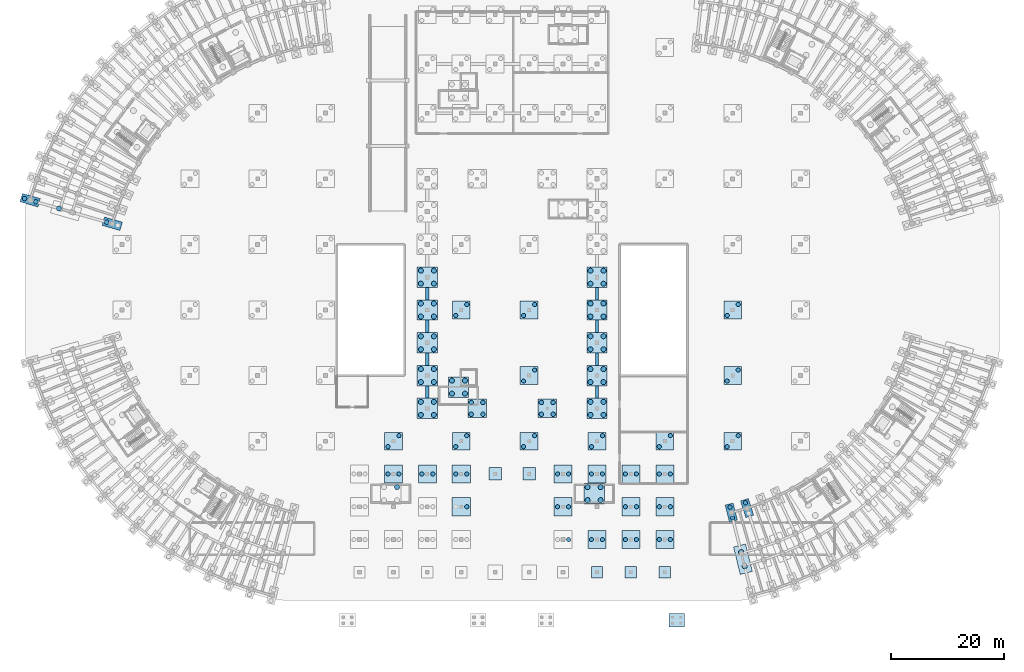
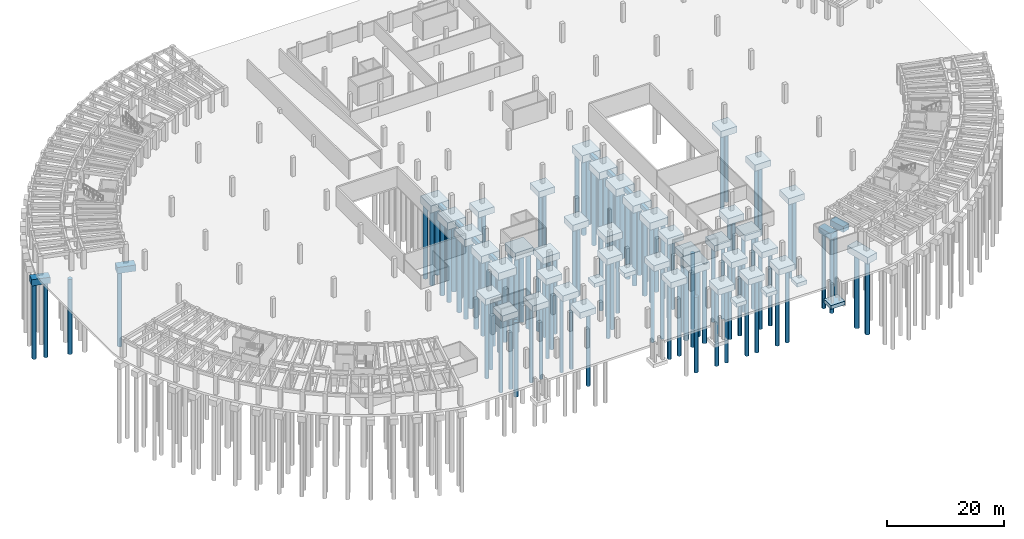
# One storey, part 2 of 29: 116 piles, 58 footings.
"""IFC4 building model written with IfcOpenShell, lengths in metres."""

from ifc_helpers import new_model, si_unit, direction, frame, origin, origin_2d, place, context, subcontext, project, spatial, rectangle, circle, extrude, material, material_profile, profile_set, type_object, element, save


model = new_model("IFC4")

# Units and contexts
model_context = context("Model", 3, precision=1e-05, world=origin(), true_north=direction((0.0, 1.0)))
body_context = subcontext(model_context, "Body", "Model", "MODEL_VIEW")
ifc_project = project(units=[si_unit("LENGTHUNIT", "METRE"), si_unit("AREAUNIT", "SQUARE_METRE"), si_unit("VOLUMEUNIT", "CUBIC_METRE"), si_unit("PLANEANGLEUNIT", "RADIAN"), si_unit("MASSUNIT", "GRAM", prefix="KILO")], contexts=[model_context])

# Site, building, storey
site_placement = place(None, origin())
site = spatial("IfcSite", under=ifc_project, at=site_placement, CompositionType="ELEMENT")
building_placement = place(site_placement, origin())
building = spatial("IfcBuilding", under=site, at=building_placement, Name="Tanwirah Colonnade Gardens", CompositionType="ELEMENT")
storey_placement = place(building_placement, frame((0.0, 0.0, -4.199951171875)))
storey = spatial("IfcBuildingStorey", under=building, at=storey_placement, Name="B1", CompositionType="ELEMENT", Elevation=-4.199951171875)

# Footings
ifc_material = material(Name="Concrete C45/55", Category="concrete")
ifc_material_profile_1 = material_profile(ifc_material, rectangle(XDim=0.60009765625, YDim=0.800048828125, at=origin_2d()), Name="GB-600x800")
ifc_profile_set_1 = profile_set([ifc_material_profile_1], Name="Concrete C45/55")
footing_type_1 = type_object("IfcFootingType", Name="GB-600x800", PredefinedType="FOOTING_BEAM", material=ifc_profile_set_1)
footing_1_placement = place(storey_placement, frame((78.0, 41.60009765625, -0.85009765625), z_axis=(0.0, 1.0, 0.0), x_axis=(-1.0, 0.0, 0.0)))
element("IfcFooting", 1, at=footing_1_placement, inside=storey, type_object=footing_type_1, Name="Ground tie beam GB-001", PredefinedType="FOOTING_BEAM", context=body_context, shape_type="SweptSolid", body=[
    extrude(rectangle(XDim=0.60009765625, YDim=0.800048828125, at=origin_2d()), origin(), (0.0, 0.0, 1.0), 2.199951171875),
])
footing_2_placement = place(storey_placement, frame((78.0, 47.39990234375, -0.85009765625), z_axis=(0.0, 1.0, 0.0), x_axis=(-1.0, 0.0, 0.0)))
element("IfcFooting", 2, at=footing_2_placement, inside=storey, type_object=footing_type_1, Name="Ground tie beam GB-002", PredefinedType="FOOTING_BEAM", context=body_context, shape_type="SweptSolid", body=[
    extrude(rectangle(XDim=0.60009765625, YDim=0.800048828125, at=origin_2d()), origin(), (0.0, 0.0, 1.0), 2.2001953125),
])
for number, where, z_axis, x_axis, name in (
    (3, (78.0, 53.199951171875, -0.85009765625), (0.0, 1.0, 0.0), (-1.0, 0.0, 0.0), "Ground tie beam GB-003"),
    (4, (78.0, 59.0, -0.85009765625), (0.0, 1.0, 0.0), (-1.0, 0.0, 0.0), "Ground tie beam GB-004"),
    (5, (108.0, 41.60009765625, -0.85009765625), (0.0, 1.0, 0.0), (-1.0, 0.0, 0.0), "Ground tie beam GB-008"),
):
    element("IfcFooting", number, at=place(storey_placement, frame(where, z_axis=z_axis, x_axis=x_axis)), inside=storey, type_object=footing_type_1, Name=name, PredefinedType="FOOTING_BEAM", context=body_context, shape_type="SweptSolid", body=[
        extrude(rectangle(XDim=0.60009765625, YDim=0.800048828125, at=origin_2d()), origin(), (0.0, 0.0, 1.0), 2.199951171875),
    ])
footing_3_placement = place(storey_placement, frame((108.0, 47.39990234375, -0.85009765625), z_axis=(0.0, 1.0, 0.0), x_axis=(-1.0, 0.0, 0.0)))
element("IfcFooting", 6, at=footing_3_placement, inside=storey, type_object=footing_type_1, Name="Ground tie beam GB-009", PredefinedType="FOOTING_BEAM", context=body_context, shape_type="SweptSolid", body=[
    extrude(rectangle(XDim=0.60009765625, YDim=0.800048828125, at=origin_2d()), origin(), (0.0, 0.0, 1.0), 2.2001953125),
])
for number, where, z_axis, x_axis, name in (
    (7, (108.0, 53.199951171875, -0.85009765625), (0.0, 1.0, 0.0), (-1.0, 0.0, 0.0), "Ground tie beam GB-010"),
    (8, (108.0, 59.0, -0.85009765625), (0.0, 1.0, 0.0), (-1.0, 0.0, 0.0), "Ground tie beam GB-011"),
):
    element("IfcFooting", number, at=place(storey_placement, frame(where, z_axis=z_axis, x_axis=x_axis)), inside=storey, type_object=footing_type_1, Name=name, PredefinedType="FOOTING_BEAM", context=body_context, shape_type="SweptSolid", body=[
        extrude(rectangle(XDim=0.60009765625, YDim=0.800048828125, at=origin_2d()), origin(), (0.0, 0.0, 1.0), 2.199951171875),
    ])
footing_type_2 = type_object("IfcFootingType", Name="PC-2P75A", PredefinedType="PILE_CAP", material=ifc_material)
for number, where, z_axis, x_axis, name in (
    (9, (131.75341796875, 21.370361328125, -1.64990234375), (0.0, 0.0, 1.0), (0.2419218956, -0.970295726276, 0.0), "Footing CAP-D-IN-00"),
    (10, (134.55126953125, 22.166015625, -1.64990234375), (0.0, 0.0, 1.0), (0.304864299028, -0.952395799643, 0.0), "Footing CAP-D-IN-01"),
):
    element("IfcFooting", number, at=place(storey_placement, frame(where, z_axis=z_axis, x_axis=x_axis)), inside=storey, type_object=footing_type_2, Name=name, PredefinedType="PILE_CAP", context=body_context, shape_type="SweptSolid", body=[
        extrude(rectangle(XDim=3.10009765625, YDim=1.449951171875, at=origin_2d()), origin(), (0.0, 0.0, 1.0), 1.199951171875),
    ])
footing_type_3 = type_object("IfcFootingType", Name="PC-2P80", PredefinedType="PILE_CAP", material=ifc_material)
for number, where, z_axis, x_axis, name in (
    (11, (22.27197265625, 72.4521484375, -1.75), (0.0, 0.0, 1.0), (-0.961261715181, 0.275637288708, 0.0), "Footing CAP-A-IN-18"),
    (12, (7.7568359375, 76.6142578125, -1.75), (0.0, 0.0, 1.0), (-0.961261715181, 0.275637288708, 0.0), "Footing CAP-A-OUT-18"),
):
    element("IfcFooting", number, at=place(storey_placement, frame(where, z_axis=z_axis, x_axis=x_axis)), inside=storey, type_object=footing_type_3, Name=name, PredefinedType="PILE_CAP", context=body_context, shape_type="SweptSolid", body=[
        extrude(rectangle(XDim=3.300048828125, YDim=1.550048828125, at=origin_2d()), origin(), (0.0, 0.0, 1.0), 1.300048828125),
    ])
footing_type_4 = type_object("IfcFootingType", Name="PC-2P90A", PredefinedType="PILE_CAP", material=ifc_material)
footing_4_placement = place(storey_placement, frame((133.809814453125, 13.122802734375, -1.85009765625), z_axis=(0.0, 0.0, 1.0), x_axis=(0.2419218956, -0.970295726276, 0.0)))
element("IfcFooting", 13, at=footing_4_placement, inside=storey, type_object=footing_type_4, Name="Footing CAP-D-MD-00", PredefinedType="PILE_CAP", context=body_context, shape_type="SweptSolid", body=[
    extrude(rectangle(XDim=5.0, YDim=2.199951171875, at=origin_2d()), origin(), (0.0, 0.0, 1.0), 1.39990234375),
])
footing_type_5 = type_object("IfcFootingType", Name="PC-4P75", PredefinedType="PILE_CAP", material=ifc_material)
for number, where, z_axis, x_axis, name in (
    (14, (72.0, 34.0, -1.75), (0.0, 0.0, 1.0), (1.0, 0.0, 0.0), "Footing CAP-B1G-72-5"),
    (15, (84.0, 34.0, -1.75), (0.0, 0.0, 1.0), (1.0, 0.0, 0.0), "Footing CAP-B1G-84-5"),
    (16, (84.0, 57.199951171875, -1.75), (0.0, 0.0, 1.0), (1.0, 0.0, 0.0), "Footing CAP-B1G-84-9"),
    (17, (96.0, 34.0, -1.75), (0.0, 0.0, 1.0), (1.0, 0.0, 0.0), "Footing CAP-B1G-96-5"),
    (18, (96.0, 45.60009765625, -1.75), (0.0, 0.0, 1.0), (1.0, 0.0, 0.0), "Footing CAP-B1G-96-7"),
    (19, (96.0, 57.199951171875, -1.75), (0.0, 0.0, 1.0), (1.0, 0.0, 0.0), "Footing CAP-B1G-96-9"),
    (20, (108.0, 34.0, -1.75), (0.0, 0.0, 1.0), (1.0, 0.0, 0.0), "Footing CAP-B1G-108-5"),
    (21, (120.0, 34.0, -1.75), (0.0, 0.0, 1.0), (1.0, 0.0, 0.0), "Footing CAP-B1G-120-5"),
    (22, (132.0, 34.0, -1.75), (0.0, 0.0, 1.0), (1.0, 0.0, 0.0), "Footing CAP-B1G-132-5"),
    (23, (132.0, 45.60009765625, -1.75), (0.0, 0.0, 1.0), (1.0, 0.0, 0.0), "Footing CAP-B1G-132-7"),
    (24, (132.0, 57.199951171875, -1.75), (0.0, 0.0, 1.0), (1.0, 0.0, 0.0), "Footing CAP-B1G-132-9"),
):
    element("IfcFooting", number, at=place(storey_placement, frame(where, z_axis=z_axis, x_axis=x_axis)), inside=storey, type_object=footing_type_5, Name=name, PredefinedType="PILE_CAP", context=body_context, shape_type="SweptSolid", body=[
        extrude(rectangle(XDim=3.14990234375, YDim=3.14990234375, at=origin_2d()), origin(), (0.0, 0.0, 1.0), 1.300048828125),
    ])
footing_type_6 = type_object("IfcFootingType", Name="PC-4P80", PredefinedType="PILE_CAP", material=ifc_material)
for number, where, z_axis, x_axis, name in (
    (25, (86.800048828125, 39.800048828125, -1.800048828125), (0.0, 0.0, 1.0), (1.0, 0.0, 0.0), "Footing CAP-HALL-1-0"),
    (26, (99.199951171875, 39.800048828125, -1.800048828125), (0.0, 0.0, 1.0), (1.0, 0.0, 0.0), "Footing CAP-HALL-2-0"),
):
    element("IfcFooting", number, at=place(storey_placement, frame(where, z_axis=z_axis, x_axis=x_axis)), inside=storey, type_object=footing_type_6, Name=name, PredefinedType="PILE_CAP", context=body_context, shape_type="SweptSolid", body=[
        extrude(rectangle(XDim=3.300048828125, YDim=3.300048828125, at=origin_2d()), origin(), (0.0, 0.0, 1.0), 1.35009765625),
    ])
footing_type_7 = type_object("IfcFootingType", Name="PC-4P90", PredefinedType="PILE_CAP", material=ifc_material)
for number, where, z_axis, x_axis, name in (
    (27, (83.5, 43.550048828125, -1.949951171875), (0.0, 0.0, 1.0), (1.0, 0.0, 0.0), "Footing CAP-CORE-H1"),
    (28, (107.5, 24.7099609375, -1.949951171875), (0.0, 0.0, 1.0), (1.0, 0.0, 0.0), "Footing CAP-CORE-SE"),
    (29, (78.0, 39.800048828125, -1.949951171875), (0.0, 0.0, 1.0), (1.0, 0.0, 0.0), "Footing CAP-HALL-0-0"),
    (30, (78.0, 45.60009765625, -1.949951171875), (0.0, 0.0, 1.0), (1.0, 0.0, 0.0), "Footing CAP-HALL-0-1"),
    (31, (78.0, 51.39990234375, -1.949951171875), (0.0, 0.0, 1.0), (1.0, 0.0, 0.0), "Footing CAP-HALL-0-2"),
    (32, (78.0, 57.199951171875, -1.949951171875), (0.0, 0.0, 1.0), (1.0, 0.0, 0.0), "Footing CAP-HALL-0-3"),
    (33, (78.0, 63.0, -1.949951171875), (0.0, 0.0, 1.0), (1.0, 0.0, 0.0), "Footing CAP-HALL-0-4"),
    (34, (108.0, 39.800048828125, -1.949951171875), (0.0, 0.0, 1.0), (1.0, 0.0, 0.0), "Footing CAP-HALL-3-0"),
    (35, (108.0, 45.60009765625, -1.949951171875), (0.0, 0.0, 1.0), (1.0, 0.0, 0.0), "Footing CAP-HALL-3-1"),
    (36, (108.0, 51.39990234375, -1.949951171875), (0.0, 0.0, 1.0), (1.0, 0.0, 0.0), "Footing CAP-HALL-3-2"),
    (37, (108.0, 57.199951171875, -1.949951171875), (0.0, 0.0, 1.0), (1.0, 0.0, 0.0), "Footing CAP-HALL-3-3"),
    (38, (108.0, 63.0, -1.949951171875), (0.0, 0.0, 1.0), (1.0, 0.0, 0.0), "Footing CAP-HALL-3-4"),
):
    element("IfcFooting", number, at=place(storey_placement, frame(where, z_axis=z_axis, x_axis=x_axis)), inside=storey, type_object=footing_type_7, Name=name, PredefinedType="PILE_CAP", context=body_context, shape_type="SweptSolid", body=[
        extrude(rectangle(XDim=3.60009765625, YDim=3.60009765625, at=origin_2d()), origin(), (0.0, 0.0, 1.0), 1.5),
    ])
footing_type_8 = type_object("IfcFootingType", Name="PC-PAV1", PredefinedType="PILE_CAP", material=ifc_material)
for number, where, z_axis, x_axis, name in (
    (39, (72.0, 28.199951171875, -1.699951171875), (0.0, 0.0, 1.0), (1.0, 0.0, 0.0), "Footing CAP-SHP-W-1-3"),
    (40, (78.0, 28.199951171875, -1.699951171875), (0.0, 0.0, 1.0), (1.0, 0.0, 0.0), "Footing CAP-SHP-W-2-3"),
    (41, (84.0, 22.39990234375, -1.699951171875), (0.0, 0.0, 1.0), (1.0, 0.0, 0.0), "Footing CAP-SHP-W-3-2"),
    (42, (84.0, 28.199951171875, -1.699951171875), (0.0, 0.0, 1.0), (1.0, 0.0, 0.0), "Footing CAP-SHP-W-3-3"),
    (43, (102.0, 22.39990234375, -1.699951171875), (0.0, 0.0, 1.0), (1.0, 0.0, 0.0), "Footing CAP-SHP-E-0-2"),
    (44, (102.0, 28.199951171875, -1.699951171875), (0.0, 0.0, 1.0), (1.0, 0.0, 0.0), "Footing CAP-SHP-E-0-3"),
    (45, (108.0, 16.60009765625, -1.699951171875), (0.0, 0.0, 1.0), (1.0, 0.0, 0.0), "Footing CAP-SHP-E-1-1"),
    (46, (108.0, 28.199951171875, -1.699951171875), (0.0, 0.0, 1.0), (1.0, 0.0, 0.0), "Footing CAP-SHP-E-1-3"),
    (47, (114.0, 16.60009765625, -1.699951171875), (0.0, 0.0, 1.0), (1.0, 0.0, 0.0), "Footing CAP-SHP-E-2-1"),
    (48, (114.0, 22.39990234375, -1.699951171875), (0.0, 0.0, 1.0), (1.0, 0.0, 0.0), "Footing CAP-SHP-E-2-2"),
    (49, (114.0, 28.199951171875, -1.699951171875), (0.0, 0.0, 1.0), (1.0, 0.0, 0.0), "Footing CAP-SHP-E-2-3"),
    (50, (120.0, 16.60009765625, -1.699951171875), (0.0, 0.0, 1.0), (1.0, 0.0, 0.0), "Footing CAP-SHP-E-3-1"),
    (51, (120.0, 22.39990234375, -1.699951171875), (0.0, 0.0, 1.0), (1.0, 0.0, 0.0), "Footing CAP-SHP-E-3-2"),
    (52, (120.0, 28.199951171875, -1.699951171875), (0.0, 0.0, 1.0), (1.0, 0.0, 0.0), "Footing CAP-SHP-E-3-3"),
):
    element("IfcFooting", number, at=place(storey_placement, frame(where, z_axis=z_axis, x_axis=x_axis)), inside=storey, type_object=footing_type_8, Name=name, PredefinedType="PILE_CAP", context=body_context, shape_type="SweptSolid", body=[
        extrude(rectangle(XDim=3.199951171875, YDim=3.199951171875, at=origin_2d()), origin(), (0.0, 0.0, 1.0), 1.25),
    ])
footing_type_9 = type_object("IfcFootingType", Name="PF-ARC1", PredefinedType="PAD_FOOTING", material=ifc_material)
for number, where, z_axis, x_axis, name in (
    (53, (108.0, 10.800048828125, -1.25), (0.0, 0.0, 1.0), (1.0, 0.0, 0.0), "Footing PF-SHP-E-1"),
    (54, (114.0, 10.800048828125, -1.25), (0.0, 0.0, 1.0), (1.0, 0.0, 0.0), "Footing PF-SHP-E-2"),
    (55, (120.0, 10.800048828125, -1.25), (0.0, 0.0, 1.0), (1.0, 0.0, 0.0), "Footing PF-SHP-E-3"),
):
    element("IfcFooting", number, at=place(storey_placement, frame(where, z_axis=z_axis, x_axis=x_axis)), inside=storey, type_object=footing_type_9, Name=name, PredefinedType="PAD_FOOTING", context=body_context, shape_type="SweptSolid", body=[
        extrude(rectangle(XDim=2.0, YDim=2.0, at=origin_2d()), origin(), (0.0, 0.0, 1.0), 0.800048828125),
    ])
footing_type_10 = type_object("IfcFootingType", Name="PF-CAN1", PredefinedType="PAD_FOOTING", material=ifc_material)
for number, where, z_axis, x_axis, name in (
    (56, (90.0, 28.199951171875, -1.300048828125), (0.0, 0.0, 1.0), (1.0, 0.0, 0.0), "Footing PF-CAN-1-2"),
    (57, (96.0, 28.199951171875, -1.300048828125), (0.0, 0.0, 1.0), (1.0, 0.0, 0.0), "Footing PF-CAN-2-2"),
):
    element("IfcFooting", number, at=place(storey_placement, frame(where, z_axis=z_axis, x_axis=x_axis)), inside=storey, type_object=footing_type_10, Name=name, PredefinedType="PAD_FOOTING", context=body_context, shape_type="SweptSolid", body=[
        extrude(rectangle(XDim=2.199951171875, YDim=2.199951171875, at=origin_2d()), origin(), (0.0, 0.0, 1.0), 0.85009765625),
    ])
footing_type_11 = type_object("IfcFootingType", Name="PF-RMP1", PredefinedType="PAD_FOOTING", material=ifc_material)
footing_5_placement = place(storey_placement, frame((122.10009765625, 2.330078125, -1.199951171875), z_axis=(0.0, 0.0, 1.0), x_axis=(1.0, 0.0, 0.0)))
element("IfcFooting", 58, at=footing_5_placement, inside=storey, type_object=footing_type_11, Name="Accessible Ramp PED-E Footing", PredefinedType="PAD_FOOTING", context=body_context, shape_type="SweptSolid", body=[
    extrude(rectangle(XDim=2.800048828125, YDim=2.39990234375, at=origin_2d()), origin(), (0.0, 0.0, 1.0), 0.75),
])

# Piles
ifc_material_profile_2 = material_profile(ifc_material, circle(Radius=0.375, at=origin_2d()), Name="PILE D750")
ifc_profile_set_2 = profile_set([ifc_material_profile_2], Name="Concrete C45/55")
pile_type_1 = type_object("IfcPileType", Name="PILE-D750", PredefinedType="BORED", material=ifc_profile_set_2)
for number, where, z_axis, x_axis, name in (
    (59, (131.517578125, 22.31640625, -1.530029296875), (0.0, 0.0, -1.0), (1.0, 0.0, 0.0), "Bored pile CAP-D-IN-00-P1"),
    (60, (131.9892578125, 20.42431640625, -1.530029296875), (0.0, 0.0, -1.0), (1.0, 0.0, 0.0), "Bored pile CAP-D-IN-00-P2"),
    (61, (134.25390625, 23.094482421875, -1.530029296875), (0.0, 0.0, -1.0), (1.0, 0.0, 0.0), "Bored pile CAP-D-IN-01-P1"),
):
    element("IfcPile", number, at=place(storey_placement, frame(where, z_axis=z_axis, x_axis=x_axis)), inside=storey, type_object=pile_type_1, Name=name, PredefinedType="BORED", context=body_context, shape_type="SweptSolid", body=[
        extrude(circle(Radius=0.375, at=origin_2d()), origin(), (0.0, 0.0, 1.0), 15.919921875),
    ])
for number, where, z_axis, x_axis, name in (
    (62, (71.02490234375, 28.199951171875, -1.580078125), (0.0, 0.0, -1.0), (1.0, 0.0, 0.0), "Bored pile CAP-SHP-W-1-3-P1"),
    (63, (72.97509765625, 28.199951171875, -1.580078125), (0.0, 0.0, -1.0), (1.0, 0.0, 0.0), "Bored pile CAP-SHP-W-1-3-P2"),
    (64, (77.02490234375, 28.199951171875, -1.580078125), (0.0, 0.0, -1.0), (1.0, 0.0, 0.0), "Bored pile CAP-SHP-W-2-3-P1"),
    (65, (78.97509765625, 28.199951171875, -1.580078125), (0.0, 0.0, -1.0), (1.0, 0.0, 0.0), "Bored pile CAP-SHP-W-2-3-P2"),
    (66, (84.97509765625, 22.39990234375, -1.580078125), (0.0, 0.0, -1.0), (1.0, 0.0, 0.0), "Bored pile CAP-SHP-W-3-2-P2"),
    (67, (83.02490234375, 28.199951171875, -1.580078125), (0.0, 0.0, -1.0), (1.0, 0.0, 0.0), "Bored pile CAP-SHP-W-3-3-P1"),
    (68, (84.97509765625, 28.199951171875, -1.580078125), (0.0, 0.0, -1.0), (1.0, 0.0, 0.0), "Bored pile CAP-SHP-W-3-3-P2"),
    (69, (102.97509765625, 16.60009765625, -1.580078125), (0.0, 0.0, -1.0), (1.0, 0.0, 0.0), "Bored pile CAP-SHP-E-0-1-P2"),
    (70, (101.02490234375, 22.39990234375, -1.580078125), (0.0, 0.0, -1.0), (1.0, 0.0, 0.0), "Bored pile CAP-SHP-E-0-2-P1"),
    (71, (102.97509765625, 22.39990234375, -1.580078125), (0.0, 0.0, -1.0), (1.0, 0.0, 0.0), "Bored pile CAP-SHP-E-0-2-P2"),
    (72, (101.02490234375, 28.199951171875, -1.580078125), (0.0, 0.0, -1.0), (1.0, 0.0, 0.0), "Bored pile CAP-SHP-E-0-3-P1"),
    (73, (102.97509765625, 28.199951171875, -1.580078125), (0.0, 0.0, -1.0), (1.0, 0.0, 0.0), "Bored pile CAP-SHP-E-0-3-P2"),
    (74, (107.02490234375, 16.60009765625, -1.580078125), (0.0, 0.0, -1.0), (1.0, 0.0, 0.0), "Bored pile CAP-SHP-E-1-1-P1"),
    (75, (108.97509765625, 16.60009765625, -1.580078125), (0.0, 0.0, -1.0), (1.0, 0.0, 0.0), "Bored pile CAP-SHP-E-1-1-P2"),
    (76, (107.02490234375, 28.199951171875, -1.580078125), (0.0, 0.0, -1.0), (1.0, 0.0, 0.0), "Bored pile CAP-SHP-E-1-3-P1"),
    (77, (108.97509765625, 28.199951171875, -1.580078125), (0.0, 0.0, -1.0), (1.0, 0.0, 0.0), "Bored pile CAP-SHP-E-1-3-P2"),
    (78, (113.02490234375, 16.60009765625, -1.580078125), (0.0, 0.0, -1.0), (1.0, 0.0, 0.0), "Bored pile CAP-SHP-E-2-1-P1"),
    (79, (114.97509765625, 16.60009765625, -1.580078125), (0.0, 0.0, -1.0), (1.0, 0.0, 0.0), "Bored pile CAP-SHP-E-2-1-P2"),
    (80, (113.02490234375, 22.39990234375, -1.580078125), (0.0, 0.0, -1.0), (1.0, 0.0, 0.0), "Bored pile CAP-SHP-E-2-2-P1"),
    (81, (114.97509765625, 22.39990234375, -1.580078125), (0.0, 0.0, -1.0), (1.0, 0.0, 0.0), "Bored pile CAP-SHP-E-2-2-P2"),
    (82, (113.02490234375, 28.199951171875, -1.580078125), (0.0, 0.0, -1.0), (1.0, 0.0, 0.0), "Bored pile CAP-SHP-E-2-3-P1"),
    (83, (114.97509765625, 28.199951171875, -1.580078125), (0.0, 0.0, -1.0), (1.0, 0.0, 0.0), "Bored pile CAP-SHP-E-2-3-P2"),
    (84, (119.02490234375, 16.60009765625, -1.580078125), (0.0, 0.0, -1.0), (1.0, 0.0, 0.0), "Bored pile CAP-SHP-E-3-1-P1"),
    (85, (120.97509765625, 16.60009765625, -1.580078125), (0.0, 0.0, -1.0), (1.0, 0.0, 0.0), "Bored pile CAP-SHP-E-3-1-P2"),
    (86, (119.02490234375, 22.39990234375, -1.580078125), (0.0, 0.0, -1.0), (1.0, 0.0, 0.0), "Bored pile CAP-SHP-E-3-2-P1"),
    (87, (120.97509765625, 22.39990234375, -1.580078125), (0.0, 0.0, -1.0), (1.0, 0.0, 0.0), "Bored pile CAP-SHP-E-3-2-P2"),
    (88, (119.02490234375, 28.199951171875, -1.580078125), (0.0, 0.0, -1.0), (1.0, 0.0, 0.0), "Bored pile CAP-SHP-E-3-3-P1"),
    (89, (120.97509765625, 28.199951171875, -1.580078125), (0.0, 0.0, -1.0), (1.0, 0.0, 0.0), "Bored pile CAP-SHP-E-3-3-P2"),
):
    element("IfcPile", number, at=place(storey_placement, frame(where, z_axis=z_axis, x_axis=x_axis)), inside=storey, type_object=pile_type_1, Name=name, PredefinedType="BORED", context=body_context, shape_type="SweptSolid", body=[
        extrude(circle(Radius=0.375, at=origin_2d()), origin(), (0.0, 0.0, 1.0), 15.8701171875),
    ])
for number, where, z_axis, x_axis, name in (
    (90, (71.02490234375, 33.02490234375, -1.630126953125), (0.0, 0.0, -1.0), (1.0, 0.0, 0.0), "Bored pile CAP-B1G-72-5-P1"),
    (91, (72.97509765625, 34.97509765625, -1.630126953125), (0.0, 0.0, -1.0), (1.0, 0.0, 0.0), "Bored pile CAP-B1G-72-5-P2"),
    (92, (83.02490234375, 33.02490234375, -1.630126953125), (0.0, 0.0, -1.0), (1.0, 0.0, 0.0), "Bored pile CAP-B1G-84-5-P1"),
    (93, (84.97509765625, 34.97509765625, -1.630126953125), (0.0, 0.0, -1.0), (1.0, 0.0, 0.0), "Bored pile CAP-B1G-84-5-P2"),
    (94, (83.02490234375, 56.22509765625, -1.630126953125), (0.0, 0.0, -1.0), (1.0, 0.0, 0.0), "Bored pile CAP-B1G-84-9-P1"),
    (95, (84.97509765625, 58.175048828125, -1.630126953125), (0.0, 0.0, -1.0), (1.0, 0.0, 0.0), "Bored pile CAP-B1G-84-9-P2"),
    (96, (95.02490234375, 33.02490234375, -1.630126953125), (0.0, 0.0, -1.0), (1.0, 0.0, 0.0), "Bored pile CAP-B1G-96-5-P1"),
    (97, (96.97509765625, 34.97509765625, -1.630126953125), (0.0, 0.0, -1.0), (1.0, 0.0, 0.0), "Bored pile CAP-B1G-96-5-P2"),
    (98, (95.02490234375, 44.625, -1.630126953125), (0.0, 0.0, -1.0), (1.0, 0.0, 0.0), "Bored pile CAP-B1G-96-7-P1"),
    (99, (96.97509765625, 46.574951171875, -1.630126953125), (0.0, 0.0, -1.0), (1.0, 0.0, 0.0), "Bored pile CAP-B1G-96-7-P2"),
    (100, (95.02490234375, 56.22509765625, -1.630126953125), (0.0, 0.0, -1.0), (1.0, 0.0, 0.0), "Bored pile CAP-B1G-96-9-P1"),
    (101, (96.97509765625, 58.175048828125, -1.630126953125), (0.0, 0.0, -1.0), (1.0, 0.0, 0.0), "Bored pile CAP-B1G-96-9-P2"),
    (102, (107.02490234375, 33.02490234375, -1.630126953125), (0.0, 0.0, -1.0), (1.0, 0.0, 0.0), "Bored pile CAP-B1G-108-5-P1"),
    (103, (108.97509765625, 34.97509765625, -1.630126953125), (0.0, 0.0, -1.0), (1.0, 0.0, 0.0), "Bored pile CAP-B1G-108-5-P2"),
    (104, (119.02490234375, 33.02490234375, -1.630126953125), (0.0, 0.0, -1.0), (1.0, 0.0, 0.0), "Bored pile CAP-B1G-120-5-P1"),
    (105, (120.97509765625, 34.97509765625, -1.630126953125), (0.0, 0.0, -1.0), (1.0, 0.0, 0.0), "Bored pile CAP-B1G-120-5-P2"),
    (106, (131.02490234375, 33.02490234375, -1.630126953125), (0.0, 0.0, -1.0), (1.0, 0.0, 0.0), "Bored pile CAP-B1G-132-5-P1"),
    (107, (132.97509765625, 34.97509765625, -1.630126953125), (0.0, 0.0, -1.0), (1.0, 0.0, 0.0), "Bored pile CAP-B1G-132-5-P2"),
    (108, (131.02490234375, 44.625, -1.630126953125), (0.0, 0.0, -1.0), (1.0, 0.0, 0.0), "Bored pile CAP-B1G-132-7-P1"),
    (109, (132.97509765625, 46.574951171875, -1.630126953125), (0.0, 0.0, -1.0), (1.0, 0.0, 0.0), "Bored pile CAP-B1G-132-7-P2"),
    (110, (131.02490234375, 56.22509765625, -1.630126953125), (0.0, 0.0, -1.0), (1.0, 0.0, 0.0), "Bored pile CAP-B1G-132-9-P1"),
    (111, (132.97509765625, 58.175048828125, -1.630126953125), (0.0, 0.0, -1.0), (1.0, 0.0, 0.0), "Bored pile CAP-B1G-132-9-P2"),
):
    element("IfcPile", number, at=place(storey_placement, frame(where, z_axis=z_axis, x_axis=x_axis)), inside=storey, type_object=pile_type_1, Name=name, PredefinedType="BORED", context=body_context, shape_type="SweptSolid", body=[
        extrude(circle(Radius=0.375, at=origin_2d()), origin(), (0.0, 0.0, 1.0), 15.820068359375),
    ])
ifc_material_profile_3 = material_profile(ifc_material, circle(Radius=0.39990234375, at=origin_2d()), Name="PILE D800")
ifc_profile_set_3 = profile_set([ifc_material_profile_3], Name="Concrete C45/55")
pile_type_2 = type_object("IfcPileType", Name="PILE-D800", PredefinedType="BORED", material=ifc_profile_set_3)
for number, where, z_axis, x_axis, name in (
    (112, (21.272216796875, 72.73876953125, -1.630126953125), (0.0, 0.0, -1.0), (1.0, 0.0, 0.0), "Bored pile CAP-A-IN-18-P2"),
    (113, (8.756591796875, 76.32763671875, -1.630126953125), (0.0, 0.0, -1.0), (1.0, 0.0, 0.0), "Bored pile CAP-A-OUT-18-P1"),
    (114, (6.757080078125, 76.90087890625, -1.630126953125), (0.0, 0.0, -1.0), (1.0, 0.0, 0.0), "Bored pile CAP-A-OUT-18-P2"),
):
    element("IfcPile", number, at=place(storey_placement, frame(where, z_axis=z_axis, x_axis=x_axis)), inside=storey, type_object=pile_type_2, Name=name, PredefinedType="BORED", context=body_context, shape_type="SweptSolid", body=[
        extrude(circle(Radius=0.39990234375, at=origin_2d()), origin(), (0.0, 0.0, 1.0), 15.820068359375),
    ])
for number, where, z_axis, x_axis, name in (
    (115, (85.760009765625, 38.760009765625, -1.679931640625), (0.0, 0.0, -1.0), (1.0, 0.0, 0.0), "Bored pile CAP-HALL-1-0-P1"),
    (116, (87.840087890625, 38.760009765625, -1.679931640625), (0.0, 0.0, -1.0), (1.0, 0.0, 0.0), "Bored pile CAP-HALL-1-0-P2"),
    (117, (85.760009765625, 40.840087890625, -1.679931640625), (0.0, 0.0, -1.0), (1.0, 0.0, 0.0), "Bored pile CAP-HALL-1-0-P3"),
    (118, (87.840087890625, 40.840087890625, -1.679931640625), (0.0, 0.0, -1.0), (1.0, 0.0, 0.0), "Bored pile CAP-HALL-1-0-P4"),
    (119, (98.159912109375, 38.760009765625, -1.679931640625), (0.0, 0.0, -1.0), (1.0, 0.0, 0.0), "Bored pile CAP-HALL-2-0-P1"),
    (120, (100.239990234375, 38.760009765625, -1.679931640625), (0.0, 0.0, -1.0), (1.0, 0.0, 0.0), "Bored pile CAP-HALL-2-0-P2"),
    (121, (98.159912109375, 40.840087890625, -1.679931640625), (0.0, 0.0, -1.0), (1.0, 0.0, 0.0), "Bored pile CAP-HALL-2-0-P3"),
    (122, (100.239990234375, 40.840087890625, -1.679931640625), (0.0, 0.0, -1.0), (1.0, 0.0, 0.0), "Bored pile CAP-HALL-2-0-P4"),
):
    element("IfcPile", number, at=place(storey_placement, frame(where, z_axis=z_axis, x_axis=x_axis)), inside=storey, type_object=pile_type_2, Name=name, PredefinedType="BORED", context=body_context, shape_type="SweptSolid", body=[
        extrude(circle(Radius=0.39990234375, at=origin_2d()), origin(), (0.0, 0.0, 1.0), 15.77001953125),
    ])
ifc_material_profile_4 = material_profile(ifc_material, circle(Radius=0.449951171875, at=origin_2d()), Name="PILE D900")
ifc_profile_set_4 = profile_set([ifc_material_profile_4], Name="Concrete C45/55")
pile_type_3 = type_object("IfcPileType", Name="PILE-D900", PredefinedType="BORED", material=ifc_profile_set_4)
for number, where, z_axis, x_axis, name in (
    (123, (82.35009765625, 42.39990234375, -1.830078125), (0.0, 0.0, -1.0), (1.0, 0.0, 0.0), "Bored pile CAP-CORE-H1-P1"),
    (124, (84.64990234375, 42.39990234375, -1.830078125), (0.0, 0.0, -1.0), (1.0, 0.0, 0.0), "Bored pile CAP-CORE-H1-P2"),
    (125, (82.35009765625, 44.699951171875, -1.830078125), (0.0, 0.0, -1.0), (1.0, 0.0, 0.0), "Bored pile CAP-CORE-H1-P3"),
    (126, (84.64990234375, 44.699951171875, -1.830078125), (0.0, 0.0, -1.0), (1.0, 0.0, 0.0), "Bored pile CAP-CORE-H1-P4"),
    (127, (72.64990234375, 25.860107421875, -1.830078125), (0.0, 0.0, -1.0), (1.0, 0.0, 0.0), "Bored pile CAP-CORE-SW-P4"),
    (128, (106.35009765625, 23.56005859375, -1.830078125), (0.0, 0.0, -1.0), (1.0, 0.0, 0.0), "Bored pile CAP-CORE-SE-P1"),
    (129, (108.64990234375, 23.56005859375, -1.830078125), (0.0, 0.0, -1.0), (1.0, 0.0, 0.0), "Bored pile CAP-CORE-SE-P2"),
    (130, (106.35009765625, 25.860107421875, -1.830078125), (0.0, 0.0, -1.0), (1.0, 0.0, 0.0), "Bored pile CAP-CORE-SE-P3"),
    (131, (108.64990234375, 25.860107421875, -1.830078125), (0.0, 0.0, -1.0), (1.0, 0.0, 0.0), "Bored pile CAP-CORE-SE-P4"),
):
    element("IfcPile", number, at=place(storey_placement, frame(where, z_axis=z_axis, x_axis=x_axis)), inside=storey, type_object=pile_type_3, Name=name, PredefinedType="BORED", context=body_context, shape_type="SweptSolid", body=[
        extrude(circle(Radius=0.449951171875, at=origin_2d()), origin(), (0.0, 0.0, 1.0), 15.6201171875),
    ])
pile_placement = place(storey_placement, frame((12.8515625, 75.1533203125, -1.780029296875), z_axis=(0.0, 0.0, -1.0), x_axis=(1.0, 0.0, 0.0)))
element("IfcPile", 132, at=pile_placement, inside=storey, type_object=pile_type_3, Name="Bored pile CAP-A-MD-18-P2", PredefinedType="BORED", context=body_context, shape_type="SweptSolid", body=[
    extrude(circle(Radius=0.449951171875, at=origin_2d()), origin(), (0.0, 0.0, 1.0), 15.669921875),
])
for number, where, z_axis, x_axis, name in (
    (133, (133.495361328125, 14.38427734375, -1.72998046875), (0.0, 0.0, -1.0), (1.0, 0.0, 0.0), "Bored pile CAP-D-MD-00-P1"),
    (134, (134.124267578125, 11.861572265625, -1.72998046875), (0.0, 0.0, -1.0), (1.0, 0.0, 0.0), "Bored pile CAP-D-MD-00-P2"),
):
    element("IfcPile", number, at=place(storey_placement, frame(where, z_axis=z_axis, x_axis=x_axis)), inside=storey, type_object=pile_type_3, Name=name, PredefinedType="BORED", context=body_context, shape_type="SweptSolid", body=[
        extrude(circle(Radius=0.449951171875, at=origin_2d()), origin(), (0.0, 0.0, 1.0), 15.719970703125),
    ])
for number, where, z_axis, x_axis, name in (
    (135, (76.85009765625, 38.64990234375, -1.830078125), (0.0, 0.0, -1.0), (1.0, 0.0, 0.0), "Bored pile CAP-HALL-0-0-P1"),
    (136, (79.14990234375, 38.64990234375, -1.830078125), (0.0, 0.0, -1.0), (1.0, 0.0, 0.0), "Bored pile CAP-HALL-0-0-P2"),
    (137, (76.85009765625, 40.949951171875, -1.830078125), (0.0, 0.0, -1.0), (1.0, 0.0, 0.0), "Bored pile CAP-HALL-0-0-P3"),
    (138, (79.14990234375, 40.949951171875, -1.830078125), (0.0, 0.0, -1.0), (1.0, 0.0, 0.0), "Bored pile CAP-HALL-0-0-P4"),
    (139, (76.85009765625, 44.449951171875, -1.830078125), (0.0, 0.0, -1.0), (1.0, 0.0, 0.0), "Bored pile CAP-HALL-0-1-P1"),
    (140, (79.14990234375, 44.449951171875, -1.830078125), (0.0, 0.0, -1.0), (1.0, 0.0, 0.0), "Bored pile CAP-HALL-0-1-P2"),
    (141, (76.85009765625, 46.75, -1.830078125), (0.0, 0.0, -1.0), (1.0, 0.0, 0.0), "Bored pile CAP-HALL-0-1-P3"),
    (142, (79.14990234375, 46.75, -1.830078125), (0.0, 0.0, -1.0), (1.0, 0.0, 0.0), "Bored pile CAP-HALL-0-1-P4"),
    (143, (76.85009765625, 50.25, -1.830078125), (0.0, 0.0, -1.0), (1.0, 0.0, 0.0), "Bored pile CAP-HALL-0-2-P1"),
    (144, (79.14990234375, 50.25, -1.830078125), (0.0, 0.0, -1.0), (1.0, 0.0, 0.0), "Bored pile CAP-HALL-0-2-P2"),
    (145, (76.85009765625, 52.550048828125, -1.830078125), (0.0, 0.0, -1.0), (1.0, 0.0, 0.0), "Bored pile CAP-HALL-0-2-P3"),
    (146, (79.14990234375, 52.550048828125, -1.830078125), (0.0, 0.0, -1.0), (1.0, 0.0, 0.0), "Bored pile CAP-HALL-0-2-P4"),
    (147, (76.85009765625, 56.050048828125, -1.830078125), (0.0, 0.0, -1.0), (1.0, 0.0, 0.0), "Bored pile CAP-HALL-0-3-P1"),
    (148, (79.14990234375, 56.050048828125, -1.830078125), (0.0, 0.0, -1.0), (1.0, 0.0, 0.0), "Bored pile CAP-HALL-0-3-P2"),
    (149, (76.85009765625, 58.35009765625, -1.830078125), (0.0, 0.0, -1.0), (1.0, 0.0, 0.0), "Bored pile CAP-HALL-0-3-P3"),
    (150, (79.14990234375, 58.35009765625, -1.830078125), (0.0, 0.0, -1.0), (1.0, 0.0, 0.0), "Bored pile CAP-HALL-0-3-P4"),
    (151, (76.85009765625, 61.85009765625, -1.830078125), (0.0, 0.0, -1.0), (1.0, 0.0, 0.0), "Bored pile CAP-HALL-0-4-P1"),
    (152, (79.14990234375, 61.85009765625, -1.830078125), (0.0, 0.0, -1.0), (1.0, 0.0, 0.0), "Bored pile CAP-HALL-0-4-P2"),
    (153, (76.85009765625, 64.14990234375, -1.830078125), (0.0, 0.0, -1.0), (1.0, 0.0, 0.0), "Bored pile CAP-HALL-0-4-P3"),
    (154, (79.14990234375, 64.14990234375, -1.830078125), (0.0, 0.0, -1.0), (1.0, 0.0, 0.0), "Bored pile CAP-HALL-0-4-P4"),
    (155, (106.85009765625, 38.64990234375, -1.830078125), (0.0, 0.0, -1.0), (1.0, 0.0, 0.0), "Bored pile CAP-HALL-3-0-P1"),
    (156, (109.14990234375, 38.64990234375, -1.830078125), (0.0, 0.0, -1.0), (1.0, 0.0, 0.0), "Bored pile CAP-HALL-3-0-P2"),
    (157, (106.85009765625, 40.949951171875, -1.830078125), (0.0, 0.0, -1.0), (1.0, 0.0, 0.0), "Bored pile CAP-HALL-3-0-P3"),
    (158, (109.14990234375, 40.949951171875, -1.830078125), (0.0, 0.0, -1.0), (1.0, 0.0, 0.0), "Bored pile CAP-HALL-3-0-P4"),
    (159, (106.85009765625, 44.449951171875, -1.830078125), (0.0, 0.0, -1.0), (1.0, 0.0, 0.0), "Bored pile CAP-HALL-3-1-P1"),
    (160, (109.14990234375, 44.449951171875, -1.830078125), (0.0, 0.0, -1.0), (1.0, 0.0, 0.0), "Bored pile CAP-HALL-3-1-P2"),
    (161, (106.85009765625, 46.75, -1.830078125), (0.0, 0.0, -1.0), (1.0, 0.0, 0.0), "Bored pile CAP-HALL-3-1-P3"),
    (162, (109.14990234375, 46.75, -1.830078125), (0.0, 0.0, -1.0), (1.0, 0.0, 0.0), "Bored pile CAP-HALL-3-1-P4"),
    (163, (106.85009765625, 50.25, -1.830078125), (0.0, 0.0, -1.0), (1.0, 0.0, 0.0), "Bored pile CAP-HALL-3-2-P1"),
    (164, (109.14990234375, 50.25, -1.830078125), (0.0, 0.0, -1.0), (1.0, 0.0, 0.0), "Bored pile CAP-HALL-3-2-P2"),
    (165, (106.85009765625, 52.550048828125, -1.830078125), (0.0, 0.0, -1.0), (1.0, 0.0, 0.0), "Bored pile CAP-HALL-3-2-P3"),
    (166, (109.14990234375, 52.550048828125, -1.830078125), (0.0, 0.0, -1.0), (1.0, 0.0, 0.0), "Bored pile CAP-HALL-3-2-P4"),
    (167, (106.85009765625, 56.050048828125, -1.830078125), (0.0, 0.0, -1.0), (1.0, 0.0, 0.0), "Bored pile CAP-HALL-3-3-P1"),
    (168, (109.14990234375, 56.050048828125, -1.830078125), (0.0, 0.0, -1.0), (1.0, 0.0, 0.0), "Bored pile CAP-HALL-3-3-P2"),
    (169, (106.85009765625, 58.35009765625, -1.830078125), (0.0, 0.0, -1.0), (1.0, 0.0, 0.0), "Bored pile CAP-HALL-3-3-P3"),
    (170, (109.14990234375, 58.35009765625, -1.830078125), (0.0, 0.0, -1.0), (1.0, 0.0, 0.0), "Bored pile CAP-HALL-3-3-P4"),
    (171, (106.85009765625, 61.85009765625, -1.830078125), (0.0, 0.0, -1.0), (1.0, 0.0, 0.0), "Bored pile CAP-HALL-3-4-P1"),
    (172, (109.14990234375, 61.85009765625, -1.830078125), (0.0, 0.0, -1.0), (1.0, 0.0, 0.0), "Bored pile CAP-HALL-3-4-P2"),
    (173, (106.85009765625, 64.14990234375, -1.830078125), (0.0, 0.0, -1.0), (1.0, 0.0, 0.0), "Bored pile CAP-HALL-3-4-P3"),
    (174, (109.14990234375, 64.14990234375, -1.830078125), (0.0, 0.0, -1.0), (1.0, 0.0, 0.0), "Bored pile CAP-HALL-3-4-P4"),
):
    element("IfcPile", number, at=place(storey_placement, frame(where, z_axis=z_axis, x_axis=x_axis)), inside=storey, type_object=pile_type_3, Name=name, PredefinedType="BORED", context=body_context, shape_type="SweptSolid", body=[
        extrude(circle(Radius=0.449951171875, at=origin_2d()), origin(), (0.0, 0.0, 1.0), 15.6201171875),
    ])

save(model, "model.ifc")
